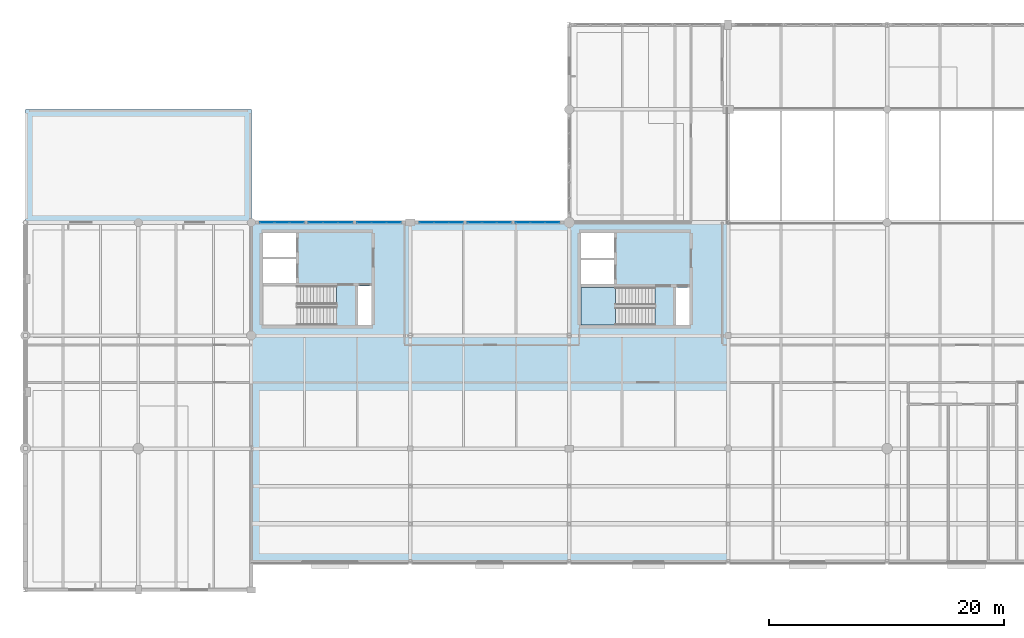
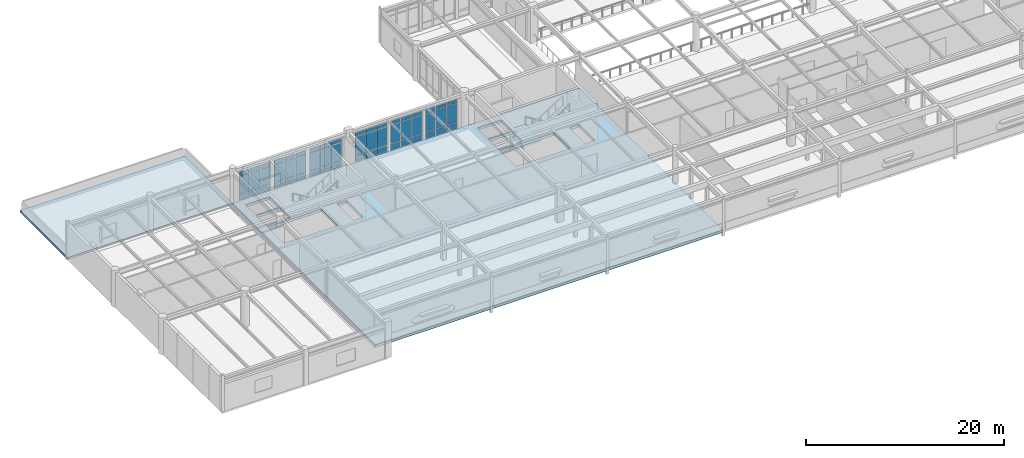
# One storey, part 38 of 61: 54 plates, 3 slabs, 7 elements without a shape of their own.
"""IFC4 building model written with IfcOpenShell, lengths in metres."""

from ifc_helpers import new_model, si_unit, direction, frame, origin, origin_2d, place, context, subcontext, project, spatial, polyline, rectangle, outline, extrude, material, layer, layer_set, type_object, element, aggregate, save


model = new_model("IFC4")

# Units and contexts
model_context = context("Model", 3, precision=1e-05, world=origin(), true_north=direction((0.0, 1.0)))
body_context = subcontext(model_context, "Body", "Model", "MODEL_VIEW")
ifc_project = project(units=[si_unit("LENGTHUNIT", "METRE"), si_unit("AREAUNIT", "SQUARE_METRE"), si_unit("VOLUMEUNIT", "CUBIC_METRE"), si_unit("PLANEANGLEUNIT", "RADIAN"), si_unit("MASSUNIT", "GRAM", prefix="KILO")], contexts=[model_context])

# Site, building, storey
site_placement = place(None, origin())
site = spatial("IfcSite", under=ifc_project, at=site_placement, CompositionType="ELEMENT")
building_placement = place(site_placement, origin())
building = spatial("IfcBuilding", under=site, at=building_placement, Name="Fikremerkos Civic Library", CompositionType="ELEMENT")
storey_placement = place(building_placement, frame((0.0, 0.0, 14.39990234375)))
storey = spatial("IfcBuildingStorey", under=building, at=storey_placement, Name="L03", CompositionType="ELEMENT", Elevation=14.39990234375)

# Curtain wall, plates
ifc_material_1 = material(Name="Anodized aluminium Frame", Category="aluminium")
ifc_layer_1 = layer(ifc_material_1, 0.159912109375, Name="Anodized aluminium Frame")
ifc_layer_set_1 = layer_set([ifc_layer_1], Name="Anodized aluminium Frame")
curtain_wall_type_1 = type_object("IfcCurtainWallType", Name="Unitised curtain wall CW-05 3800x4100", PredefinedType="USERDEFINED", material=ifc_layer_set_1)
curtain_wall_1_placement = place(storey_placement, origin())
curtain_wall_1 = element("IfcCurtainWall", 1, at=curtain_wall_1_placement, inside=storey, type_object=curtain_wall_type_1, Name="Unitised curtain wall CW-05 L03 #185", ObjectType="UNITISED CURTAIN WALL", PredefinedType="USERDEFINED")
ifc_material_2 = material(Name="Solar control double glazing", Category="glass")
ifc_layer_2 = layer(ifc_material_2, 0.028076171875, Name="Solar control double glazing")
ifc_layer_set_2 = layer_set([ifc_layer_2], Name="Solar control double glazing")
plate_type_1 = type_object("IfcPlateType", Name="Curtain glazing panel CWP-01 28", PredefinedType="CURTAIN_PANEL", material=ifc_layer_set_2)
plate_1_placement = place(storey_placement, frame((20.550537109375, 31.199951171875, 0.06005859375), z_axis=(0.0, 0.0, 1.0), x_axis=(1.0, 0.0, 0.0)))
plate_1 = element("IfcPlate", 2, at=plate_1_placement, type_object=plate_type_1, Name="CW-05 panel 1.1", PredefinedType="CURTAIN_PANEL", context=body_context, shape_type="SweptSolid", body=[
    extrude(rectangle(XDim=1.175048828125, YDim=0.028076171875, at=origin_2d()), origin(), (0.0, 0.0, 1.0), 0.760009765625),
])
plate_2_placement = place(storey_placement, frame((20.550537109375, 31.199951171875, 0.88037109375), z_axis=(0.0, 0.0, 1.0), x_axis=(1.0, 0.0, 0.0)))
plate_2 = element("IfcPlate", 3, at=plate_2_placement, type_object=plate_type_1, Name="CW-05 panel 1.2", PredefinedType="CURTAIN_PANEL", context=body_context, shape_type="SweptSolid", body=[
    extrude(rectangle(XDim=1.175048828125, YDim=0.028076171875, at=origin_2d()), origin(), (0.0, 0.0, 1.0), 2.139892578125),
])
plate_3_placement = place(storey_placement, frame((20.550537109375, 31.199951171875, 3.080078125), z_axis=(0.0, 0.0, 1.0), x_axis=(1.0, 0.0, 0.0)))
plate_3 = element("IfcPlate", 4, at=plate_3_placement, type_object=plate_type_1, Name="CW-05 panel 1.3", PredefinedType="CURTAIN_PANEL", context=body_context, shape_type="SweptSolid", body=[
    extrude(rectangle(XDim=1.175048828125, YDim=0.028076171875, at=origin_2d()), origin(), (0.0, 0.0, 1.0), 0.4599609375),
])
plate_4_placement = place(storey_placement, frame((21.806884765625, 31.199951171875, 0.06005859375), z_axis=(0.0, 0.0, 1.0), x_axis=(1.0, 0.0, 0.0)))
plate_4 = element("IfcPlate", 5, at=plate_4_placement, type_object=plate_type_1, Name="CW-05 panel 2.1", PredefinedType="CURTAIN_PANEL", context=body_context, shape_type="SweptSolid", body=[
    extrude(rectangle(XDim=1.207763671875, YDim=0.028076171875, at=origin_2d()), origin(), (0.0, 0.0, 1.0), 0.760009765625),
])
plate_5_placement = place(storey_placement, frame((21.806884765625, 31.199951171875, 0.88037109375), z_axis=(0.0, 0.0, 1.0), x_axis=(1.0, 0.0, 0.0)))
plate_5 = element("IfcPlate", 6, at=plate_5_placement, type_object=plate_type_1, Name="CW-05 panel 2.2", PredefinedType="CURTAIN_PANEL", context=body_context, shape_type="SweptSolid", body=[
    extrude(rectangle(XDim=1.207763671875, YDim=0.028076171875, at=origin_2d()), origin(), (0.0, 0.0, 1.0), 2.139892578125),
])
plate_6_placement = place(storey_placement, frame((21.806884765625, 31.199951171875, 3.080078125), z_axis=(0.0, 0.0, 1.0), x_axis=(1.0, 0.0, 0.0)))
plate_6 = element("IfcPlate", 7, at=plate_6_placement, type_object=plate_type_1, Name="CW-05 panel 2.3", PredefinedType="CURTAIN_PANEL", context=body_context, shape_type="SweptSolid", body=[
    extrude(rectangle(XDim=1.207763671875, YDim=0.028076171875, at=origin_2d()), origin(), (0.0, 0.0, 1.0), 0.4599609375),
])
plate_7_placement = place(storey_placement, frame((23.0634765625, 31.199951171875, 0.06005859375), z_axis=(0.0, 0.0, 1.0), x_axis=(1.0, 0.0, 0.0)))
plate_7 = element("IfcPlate", 8, at=plate_7_placement, type_object=plate_type_1, Name="CW-05 panel 3.1", PredefinedType="CURTAIN_PANEL", context=body_context, shape_type="SweptSolid", body=[
    extrude(rectangle(XDim=1.175048828125, YDim=0.028076171875, at=origin_2d()), origin(), (0.0, 0.0, 1.0), 0.760009765625),
])
plate_8_placement = place(storey_placement, frame((23.0634765625, 31.199951171875, 0.88037109375), z_axis=(0.0, 0.0, 1.0), x_axis=(1.0, 0.0, 0.0)))
plate_8 = element("IfcPlate", 9, at=plate_8_placement, type_object=plate_type_1, Name="CW-05 panel 3.2", PredefinedType="CURTAIN_PANEL", context=body_context, shape_type="SweptSolid", body=[
    extrude(rectangle(XDim=1.175048828125, YDim=0.028076171875, at=origin_2d()), origin(), (0.0, 0.0, 1.0), 2.139892578125),
])
plate_9_placement = place(storey_placement, frame((23.0634765625, 31.199951171875, 3.080078125), z_axis=(0.0, 0.0, 1.0), x_axis=(1.0, 0.0, 0.0)))
plate_9 = element("IfcPlate", 10, at=plate_9_placement, type_object=plate_type_1, Name="CW-05 panel 3.3", PredefinedType="CURTAIN_PANEL", context=body_context, shape_type="SweptSolid", body=[
    extrude(rectangle(XDim=1.175048828125, YDim=0.028076171875, at=origin_2d()), origin(), (0.0, 0.0, 1.0), 0.4599609375),
])
aggregate(curtain_wall_1, [plate_1, plate_2, plate_3, plate_4, plate_5, plate_6, plate_7, plate_8, plate_9])

ifc_layer_3 = layer(ifc_material_1, 0.159912109375, Name="Anodized aluminium Frame")
ifc_layer_set_3 = layer_set([ifc_layer_3], Name="Anodized aluminium Frame")
curtain_wall_type_2 = type_object("IfcCurtainWallType", Name="Unitised curtain wall CW-09 3600x3400", PredefinedType="USERDEFINED", material=ifc_layer_set_3)
curtain_wall_2_placement = place(storey_placement, origin())
curtain_wall_2 = element("IfcCurtainWall", 11, at=curtain_wall_2_placement, inside=storey, type_object=curtain_wall_type_2, Name="Unitised curtain wall CW-09 L03 #189", ObjectType="UNITISED CURTAIN WALL", PredefinedType="USERDEFINED")
plate_10_placement = place(storey_placement, frame((38.1796875, 31.199951171875, 0.070068359375), z_axis=(0.0, 0.0, 1.0), x_axis=(1.0, 0.0, 0.0)))
plate_10 = element("IfcPlate", 12, at=plate_10_placement, type_object=plate_type_1, Name="CW-09 panel 1.1", PredefinedType="CURTAIN_PANEL", context=body_context, shape_type="SweptSolid", body=[
    extrude(rectangle(XDim=1.1640625, YDim=0.028076171875, at=origin_2d()), origin(), (0.0, 0.0, 1.0), 0.7451171875),
])
plate_11_placement = place(storey_placement, frame((38.1796875, 31.199951171875, 0.885009765625), z_axis=(0.0, 0.0, 1.0), x_axis=(1.0, 0.0, 0.0)))
plate_11 = element("IfcPlate", 13, at=plate_11_placement, type_object=plate_type_1, Name="CW-09 panel 1.2", PredefinedType="CURTAIN_PANEL", context=body_context, shape_type="SweptSolid", body=[
    extrude(rectangle(XDim=1.1640625, YDim=0.028076171875, at=origin_2d()), origin(), (0.0, 0.0, 1.0), 2.22998046875),
])
plate_12_placement = place(storey_placement, frame((38.1796875, 31.199951171875, 3.18505859375), z_axis=(0.0, 0.0, 1.0), x_axis=(1.0, 0.0, 0.0)))
plate_12 = element("IfcPlate", 14, at=plate_12_placement, type_object=plate_type_1, Name="CW-09 panel 1.3", PredefinedType="CURTAIN_PANEL", context=body_context, shape_type="SweptSolid", body=[
    extrude(rectangle(XDim=1.1640625, YDim=0.028076171875, at=origin_2d()), origin(), (0.0, 0.0, 1.0), 0.445068359375),
])
plate_13_placement = place(storey_placement, frame((39.425048828125, 31.199951171875, 0.070068359375), z_axis=(0.0, 0.0, 1.0), x_axis=(1.0, 0.0, 0.0)))
plate_13 = element("IfcPlate", 15, at=plate_13_placement, type_object=plate_type_1, Name="CW-09 panel 2.1", PredefinedType="CURTAIN_PANEL", context=body_context, shape_type="SweptSolid", body=[
    extrude(rectangle(XDim=1.196533203125, YDim=0.028076171875, at=origin_2d()), origin(), (0.0, 0.0, 1.0), 0.7451171875),
])
plate_14_placement = place(storey_placement, frame((39.425048828125, 31.199951171875, 0.885009765625), z_axis=(0.0, 0.0, 1.0), x_axis=(1.0, 0.0, 0.0)))
plate_14 = element("IfcPlate", 16, at=plate_14_placement, type_object=plate_type_1, Name="CW-09 panel 2.2", PredefinedType="CURTAIN_PANEL", context=body_context, shape_type="SweptSolid", body=[
    extrude(rectangle(XDim=1.196533203125, YDim=0.028076171875, at=origin_2d()), origin(), (0.0, 0.0, 1.0), 2.22998046875),
])
plate_15_placement = place(storey_placement, frame((39.425048828125, 31.199951171875, 3.18505859375), z_axis=(0.0, 0.0, 1.0), x_axis=(1.0, 0.0, 0.0)))
plate_15 = element("IfcPlate", 17, at=plate_15_placement, type_object=plate_type_1, Name="CW-09 panel 2.3", PredefinedType="CURTAIN_PANEL", context=body_context, shape_type="SweptSolid", body=[
    extrude(rectangle(XDim=1.196533203125, YDim=0.028076171875, at=origin_2d()), origin(), (0.0, 0.0, 1.0), 0.445068359375),
])
plate_16_placement = place(storey_placement, frame((40.67041015625, 31.199951171875, 0.070068359375), z_axis=(0.0, 0.0, 1.0), x_axis=(1.0, 0.0, 0.0)))
plate_16 = element("IfcPlate", 18, at=plate_16_placement, type_object=plate_type_1, Name="CW-09 panel 3.1", PredefinedType="CURTAIN_PANEL", context=body_context, shape_type="SweptSolid", body=[
    extrude(rectangle(XDim=1.1640625, YDim=0.028076171875, at=origin_2d()), origin(), (0.0, 0.0, 1.0), 0.7451171875),
])
plate_17_placement = place(storey_placement, frame((40.67041015625, 31.199951171875, 0.885009765625), z_axis=(0.0, 0.0, 1.0), x_axis=(1.0, 0.0, 0.0)))
plate_17 = element("IfcPlate", 19, at=plate_17_placement, type_object=plate_type_1, Name="CW-09 panel 3.2", PredefinedType="CURTAIN_PANEL", context=body_context, shape_type="SweptSolid", body=[
    extrude(rectangle(XDim=1.1640625, YDim=0.028076171875, at=origin_2d()), origin(), (0.0, 0.0, 1.0), 2.22998046875),
])
plate_18_placement = place(storey_placement, frame((40.67041015625, 31.199951171875, 3.18505859375), z_axis=(0.0, 0.0, 1.0), x_axis=(1.0, 0.0, 0.0)))
plate_18 = element("IfcPlate", 20, at=plate_18_placement, type_object=plate_type_1, Name="CW-09 panel 3.3", PredefinedType="CURTAIN_PANEL", context=body_context, shape_type="SweptSolid", body=[
    extrude(rectangle(XDim=1.1640625, YDim=0.028076171875, at=origin_2d()), origin(), (0.0, 0.0, 1.0), 0.445068359375),
])
aggregate(curtain_wall_2, [plate_10, plate_11, plate_12, plate_13, plate_14, plate_15, plate_16, plate_17, plate_18])

ifc_layer_4 = layer(ifc_material_1, 0.159912109375, Name="Anodized aluminium Frame")
ifc_layer_set_4 = layer_set([ifc_layer_4], Name="Anodized aluminium Frame")
curtain_wall_type_3 = type_object("IfcCurtainWallType", Name="Unitised curtain wall CW-06 4200x4100", PredefinedType="USERDEFINED", material=ifc_layer_set_4)
curtain_wall_3_placement = place(storey_placement, origin())
curtain_wall_3 = element("IfcCurtainWall", 21, at=curtain_wall_3_placement, inside=storey, type_object=curtain_wall_type_3, Name="Unitised curtain wall CW-06 L03 #186", ObjectType="UNITISED CURTAIN WALL", PredefinedType="USERDEFINED")
ifc_layer_5 = layer(ifc_material_2, 0.035888671875, Name="Solar control double glazing")
ifc_layer_set_5 = layer_set([ifc_layer_5], Name="Solar control double glazing")
plate_type_2 = type_object("IfcPlateType", Name="Curtain glazing panel CWP-02 36", PredefinedType="CURTAIN_PANEL", material=ifc_layer_set_5)
plate_19_placement = place(storey_placement, frame((24.667236328125, 31.199951171875, 0.06005859375), z_axis=(0.0, 0.0, 1.0), x_axis=(1.0, 0.0, 0.0)))
plate_19 = element("IfcPlate", 22, at=plate_19_placement, type_object=plate_type_2, Name="CW-06 panel 1.1", PredefinedType="CURTAIN_PANEL", context=body_context, shape_type="SweptSolid", body=[
    extrude(rectangle(XDim=1.1826171875, YDim=0.035888671875, at=origin_2d()), origin(), (0.0, 0.0, 1.0), 0.760009765625),
])
plate_20_placement = place(storey_placement, frame((24.667236328125, 31.199951171875, 0.88037109375), z_axis=(0.0, 0.0, 1.0), x_axis=(1.0, 0.0, 0.0)))
plate_20 = element("IfcPlate", 23, at=plate_20_placement, type_object=plate_type_2, Name="CW-06 panel 1.2", PredefinedType="CURTAIN_PANEL", context=body_context, shape_type="SweptSolid", body=[
    extrude(rectangle(XDim=1.1826171875, YDim=0.035888671875, at=origin_2d()), origin(), (0.0, 0.0, 1.0), 2.139892578125),
])
plate_21_placement = place(storey_placement, frame((24.667236328125, 31.199951171875, 3.080078125), z_axis=(0.0, 0.0, 1.0), x_axis=(1.0, 0.0, 0.0)))
plate_21 = element("IfcPlate", 24, at=plate_21_placement, type_object=plate_type_2, Name="CW-06 panel 1.3", PredefinedType="CURTAIN_PANEL", context=body_context, shape_type="SweptSolid", body=[
    extrude(rectangle(XDim=1.1826171875, YDim=0.035888671875, at=origin_2d()), origin(), (0.0, 0.0, 1.0), 0.4599609375),
])
plate_22_placement = place(storey_placement, frame((25.925048828125, 31.199951171875, 0.06005859375), z_axis=(0.0, 0.0, 1.0), x_axis=(1.0, 0.0, 0.0)))
plate_22 = element("IfcPlate", 25, at=plate_22_placement, type_object=plate_type_2, Name="CW-06 panel 2.1", PredefinedType="CURTAIN_PANEL", context=body_context, shape_type="SweptSolid", body=[
    extrude(rectangle(XDim=1.212646484375, YDim=0.035888671875, at=origin_2d()), origin(), (0.0, 0.0, 1.0), 0.760009765625),
])
plate_23_placement = place(storey_placement, frame((25.925048828125, 31.199951171875, 0.88037109375), z_axis=(0.0, 0.0, 1.0), x_axis=(1.0, 0.0, 0.0)))
plate_23 = element("IfcPlate", 26, at=plate_23_placement, type_object=plate_type_2, Name="CW-06 panel 2.2", PredefinedType="CURTAIN_PANEL", context=body_context, shape_type="SweptSolid", body=[
    extrude(rectangle(XDim=1.212646484375, YDim=0.035888671875, at=origin_2d()), origin(), (0.0, 0.0, 1.0), 2.139892578125),
])
plate_24_placement = place(storey_placement, frame((25.925048828125, 31.199951171875, 3.080078125), z_axis=(0.0, 0.0, 1.0), x_axis=(1.0, 0.0, 0.0)))
plate_24 = element("IfcPlate", 27, at=plate_24_placement, type_object=plate_type_2, Name="CW-06 panel 2.3", PredefinedType="CURTAIN_PANEL", context=body_context, shape_type="SweptSolid", body=[
    extrude(rectangle(XDim=1.212646484375, YDim=0.035888671875, at=origin_2d()), origin(), (0.0, 0.0, 1.0), 0.4599609375),
])
plate_25_placement = place(storey_placement, frame((27.1826171875, 31.199951171875, 0.06005859375), z_axis=(0.0, 0.0, 1.0), x_axis=(1.0, 0.0, 0.0)))
plate_25 = element("IfcPlate", 28, at=plate_25_placement, type_object=plate_type_2, Name="CW-06 panel 3.1", PredefinedType="CURTAIN_PANEL", context=body_context, shape_type="SweptSolid", body=[
    extrude(rectangle(XDim=1.1826171875, YDim=0.035888671875, at=origin_2d()), origin(), (0.0, 0.0, 1.0), 0.760009765625),
])
plate_26_placement = place(storey_placement, frame((27.1826171875, 31.199951171875, 0.88037109375), z_axis=(0.0, 0.0, 1.0), x_axis=(1.0, 0.0, 0.0)))
plate_26 = element("IfcPlate", 29, at=plate_26_placement, type_object=plate_type_2, Name="CW-06 panel 3.2", PredefinedType="CURTAIN_PANEL", context=body_context, shape_type="SweptSolid", body=[
    extrude(rectangle(XDim=1.1826171875, YDim=0.035888671875, at=origin_2d()), origin(), (0.0, 0.0, 1.0), 2.139892578125),
])
plate_27_placement = place(storey_placement, frame((27.1826171875, 31.199951171875, 3.080078125), z_axis=(0.0, 0.0, 1.0), x_axis=(1.0, 0.0, 0.0)))
plate_27 = element("IfcPlate", 30, at=plate_27_placement, type_object=plate_type_2, Name="CW-06 panel 3.3", PredefinedType="CURTAIN_PANEL", context=body_context, shape_type="SweptSolid", body=[
    extrude(rectangle(XDim=1.1826171875, YDim=0.035888671875, at=origin_2d()), origin(), (0.0, 0.0, 1.0), 0.4599609375),
])
aggregate(curtain_wall_3, [plate_19, plate_20, plate_21, plate_22, plate_23, plate_24, plate_25, plate_26, plate_27])

ifc_layer_6 = layer(ifc_material_1, 0.159912109375, Name="Anodized aluminium Frame")
ifc_layer_set_6 = layer_set([ifc_layer_6], Name="Anodized aluminium Frame")
curtain_wall_type_4 = type_object("IfcCurtainWallType", Name="Unitised curtain wall CW-10 4000x3400", PredefinedType="USERDEFINED", material=ifc_layer_set_6)
curtain_wall_4_placement = place(storey_placement, origin())
curtain_wall_4 = element("IfcCurtainWall", 31, at=curtain_wall_4_placement, inside=storey, type_object=curtain_wall_type_4, Name="Unitised curtain wall CW-10 L03 #190", ObjectType="UNITISED CURTAIN WALL", PredefinedType="USERDEFINED")
plate_28_placement = place(storey_placement, frame((42.26318359375, 31.199951171875, 0.070068359375), z_axis=(0.0, 0.0, 1.0), x_axis=(1.0, 0.0, 0.0)))
plate_28 = element("IfcPlate", 32, at=plate_28_placement, type_object=plate_type_2, Name="CW-10 panel 1.1", PredefinedType="CURTAIN_PANEL", context=body_context, shape_type="SweptSolid", body=[
    extrude(rectangle(XDim=1.171630859375, YDim=0.035888671875, at=origin_2d()), origin(), (0.0, 0.0, 1.0), 0.7451171875),
])
plate_29_placement = place(storey_placement, frame((42.26318359375, 31.199951171875, 0.885009765625), z_axis=(0.0, 0.0, 1.0), x_axis=(1.0, 0.0, 0.0)))
plate_29 = element("IfcPlate", 33, at=plate_29_placement, type_object=plate_type_2, Name="CW-10 panel 1.2", PredefinedType="CURTAIN_PANEL", context=body_context, shape_type="SweptSolid", body=[
    extrude(rectangle(XDim=1.171630859375, YDim=0.035888671875, at=origin_2d()), origin(), (0.0, 0.0, 1.0), 2.22998046875),
])
plate_30_placement = place(storey_placement, frame((42.26318359375, 31.199951171875, 3.18505859375), z_axis=(0.0, 0.0, 1.0), x_axis=(1.0, 0.0, 0.0)))
plate_30 = element("IfcPlate", 34, at=plate_30_placement, type_object=plate_type_2, Name="CW-10 panel 1.3", PredefinedType="CURTAIN_PANEL", context=body_context, shape_type="SweptSolid", body=[
    extrude(rectangle(XDim=1.171630859375, YDim=0.035888671875, at=origin_2d()), origin(), (0.0, 0.0, 1.0), 0.445068359375),
])
plate_31_placement = place(storey_placement, frame((43.509765625, 31.199951171875, 0.070068359375), z_axis=(0.0, 0.0, 1.0), x_axis=(1.0, 0.0, 0.0)))
plate_31 = element("IfcPlate", 35, at=plate_31_placement, type_object=plate_type_2, Name="CW-10 panel 2.1", PredefinedType="CURTAIN_PANEL", context=body_context, shape_type="SweptSolid", body=[
    extrude(rectangle(XDim=1.20166015625, YDim=0.035888671875, at=origin_2d()), origin(), (0.0, 0.0, 1.0), 0.7451171875),
])
plate_32_placement = place(storey_placement, frame((43.509765625, 31.199951171875, 0.885009765625), z_axis=(0.0, 0.0, 1.0), x_axis=(1.0, 0.0, 0.0)))
plate_32 = element("IfcPlate", 36, at=plate_32_placement, type_object=plate_type_2, Name="CW-10 panel 2.2", PredefinedType="CURTAIN_PANEL", context=body_context, shape_type="SweptSolid", body=[
    extrude(rectangle(XDim=1.20166015625, YDim=0.035888671875, at=origin_2d()), origin(), (0.0, 0.0, 1.0), 2.22998046875),
])
plate_33_placement = place(storey_placement, frame((43.509765625, 31.199951171875, 3.18505859375), z_axis=(0.0, 0.0, 1.0), x_axis=(1.0, 0.0, 0.0)))
plate_33 = element("IfcPlate", 37, at=plate_33_placement, type_object=plate_type_2, Name="CW-10 panel 2.3", PredefinedType="CURTAIN_PANEL", context=body_context, shape_type="SweptSolid", body=[
    extrude(rectangle(XDim=1.20166015625, YDim=0.035888671875, at=origin_2d()), origin(), (0.0, 0.0, 1.0), 0.445068359375),
])
plate_34_placement = place(storey_placement, frame((44.756103515625, 31.199951171875, 0.070068359375), z_axis=(0.0, 0.0, 1.0), x_axis=(1.0, 0.0, 0.0)))
plate_34 = element("IfcPlate", 38, at=plate_34_placement, type_object=plate_type_2, Name="CW-10 panel 3.1", PredefinedType="CURTAIN_PANEL", context=body_context, shape_type="SweptSolid", body=[
    extrude(rectangle(XDim=1.171630859375, YDim=0.035888671875, at=origin_2d()), origin(), (0.0, 0.0, 1.0), 0.7451171875),
])
plate_35_placement = place(storey_placement, frame((44.756103515625, 31.199951171875, 0.885009765625), z_axis=(0.0, 0.0, 1.0), x_axis=(1.0, 0.0, 0.0)))
plate_35 = element("IfcPlate", 39, at=plate_35_placement, type_object=plate_type_2, Name="CW-10 panel 3.2", PredefinedType="CURTAIN_PANEL", context=body_context, shape_type="SweptSolid", body=[
    extrude(rectangle(XDim=1.171630859375, YDim=0.035888671875, at=origin_2d()), origin(), (0.0, 0.0, 1.0), 2.22998046875),
])
plate_36_placement = place(storey_placement, frame((44.756103515625, 31.199951171875, 3.18505859375), z_axis=(0.0, 0.0, 1.0), x_axis=(1.0, 0.0, 0.0)))
plate_36 = element("IfcPlate", 40, at=plate_36_placement, type_object=plate_type_2, Name="CW-10 panel 3.3", PredefinedType="CURTAIN_PANEL", context=body_context, shape_type="SweptSolid", body=[
    extrude(rectangle(XDim=1.171630859375, YDim=0.035888671875, at=origin_2d()), origin(), (0.0, 0.0, 1.0), 0.445068359375),
])
aggregate(curtain_wall_4, [plate_28, plate_29, plate_30, plate_31, plate_32, plate_33, plate_34, plate_35, plate_36])

ifc_layer_7 = layer(ifc_material_1, 0.159912109375, Name="Anodized aluminium Frame")
ifc_layer_set_7 = layer_set([ifc_layer_7], Name="Anodized aluminium Frame")
curtain_wall_type_5 = type_object("IfcCurtainWallType", Name="Unitised curtain wall CW-07 3500x4100", PredefinedType="USERDEFINED", material=ifc_layer_set_7)
curtain_wall_5_placement = place(storey_placement, origin())
curtain_wall_5 = element("IfcCurtainWall", 41, at=curtain_wall_5_placement, inside=storey, type_object=curtain_wall_type_5, Name="Unitised curtain wall CW-07 L03 #187", ObjectType="UNITISED CURTAIN WALL", PredefinedType="USERDEFINED")
ifc_material_3 = material(Name="Insulated aluminium spandrel", Category="aluminium")
ifc_layer_8 = layer(ifc_material_3, 0.044921875, Name="Insulated aluminium spandrel")
ifc_layer_set_8 = layer_set([ifc_layer_8], Name="Insulated aluminium spandrel")
plate_type_3 = type_object("IfcPlateType", Name="Curtain spandrel panel CSP-01 45", PredefinedType="CURTAIN_PANEL", material=ifc_layer_set_8)
plate_37_placement = place(storey_placement, frame((28.785400390625, 31.199951171875, 0.070068359375), z_axis=(0.0, 0.0, 1.0), x_axis=(1.0, 0.0, 0.0)))
plate_37 = element("IfcPlate", 42, at=plate_37_placement, type_object=plate_type_3, Name="CW-07 panel 1.1", PredefinedType="CURTAIN_PANEL", context=body_context, shape_type="SweptSolid", body=[
    extrude(rectangle(XDim=1.1826171875, YDim=0.044921875, at=origin_2d()), origin(), (0.0, 0.0, 1.0), 0.7451171875),
])
plate_38_placement = place(storey_placement, frame((28.785400390625, 31.199951171875, 0.88525390625), z_axis=(0.0, 0.0, 1.0), x_axis=(1.0, 0.0, 0.0)))
plate_38 = element("IfcPlate", 43, at=plate_38_placement, type_object=plate_type_3, Name="CW-07 panel 1.2", PredefinedType="CURTAIN_PANEL", context=body_context, shape_type="SweptSolid", body=[
    extrude(rectangle(XDim=1.1826171875, YDim=0.044921875, at=origin_2d()), origin(), (0.0, 0.0, 1.0), 2.1298828125),
])
plate_39_placement = place(storey_placement, frame((28.785400390625, 31.199951171875, 3.0849609375), z_axis=(0.0, 0.0, 1.0), x_axis=(1.0, 0.0, 0.0)))
plate_39 = element("IfcPlate", 44, at=plate_39_placement, type_object=plate_type_3, Name="CW-07 panel 1.3", PredefinedType="CURTAIN_PANEL", context=body_context, shape_type="SweptSolid", body=[
    extrude(rectangle(XDim=1.1826171875, YDim=0.044921875, at=origin_2d()), origin(), (0.0, 0.0, 1.0), 0.445068359375),
])
plate_40_placement = place(storey_placement, frame((30.04296875, 31.199951171875, 0.070068359375), z_axis=(0.0, 0.0, 1.0), x_axis=(1.0, 0.0, 0.0)))
plate_40 = element("IfcPlate", 45, at=plate_40_placement, type_object=plate_type_3, Name="CW-07 panel 2.1", PredefinedType="CURTAIN_PANEL", context=body_context, shape_type="SweptSolid", body=[
    extrude(rectangle(XDim=1.212646484375, YDim=0.044921875, at=origin_2d()), origin(), (0.0, 0.0, 1.0), 0.7451171875),
])
plate_41_placement = place(storey_placement, frame((30.04296875, 31.199951171875, 0.88525390625), z_axis=(0.0, 0.0, 1.0), x_axis=(1.0, 0.0, 0.0)))
plate_41 = element("IfcPlate", 46, at=plate_41_placement, type_object=plate_type_3, Name="CW-07 panel 2.2", PredefinedType="CURTAIN_PANEL", context=body_context, shape_type="SweptSolid", body=[
    extrude(rectangle(XDim=1.212646484375, YDim=0.044921875, at=origin_2d()), origin(), (0.0, 0.0, 1.0), 2.1298828125),
])
plate_42_placement = place(storey_placement, frame((30.04296875, 31.199951171875, 3.0849609375), z_axis=(0.0, 0.0, 1.0), x_axis=(1.0, 0.0, 0.0)))
plate_42 = element("IfcPlate", 47, at=plate_42_placement, type_object=plate_type_3, Name="CW-07 panel 2.3", PredefinedType="CURTAIN_PANEL", context=body_context, shape_type="SweptSolid", body=[
    extrude(rectangle(XDim=1.212646484375, YDim=0.044921875, at=origin_2d()), origin(), (0.0, 0.0, 1.0), 0.445068359375),
])
plate_43_placement = place(storey_placement, frame((31.30078125, 31.199951171875, 0.070068359375), z_axis=(0.0, 0.0, 1.0), x_axis=(1.0, 0.0, 0.0)))
plate_43 = element("IfcPlate", 48, at=plate_43_placement, type_object=plate_type_3, Name="CW-07 panel 3.1", PredefinedType="CURTAIN_PANEL", context=body_context, shape_type="SweptSolid", body=[
    extrude(rectangle(XDim=1.1826171875, YDim=0.044921875, at=origin_2d()), origin(), (0.0, 0.0, 1.0), 0.7451171875),
])
plate_44_placement = place(storey_placement, frame((31.30078125, 31.199951171875, 0.88525390625), z_axis=(0.0, 0.0, 1.0), x_axis=(1.0, 0.0, 0.0)))
plate_44 = element("IfcPlate", 49, at=plate_44_placement, type_object=plate_type_3, Name="CW-07 panel 3.2", PredefinedType="CURTAIN_PANEL", context=body_context, shape_type="SweptSolid", body=[
    extrude(rectangle(XDim=1.1826171875, YDim=0.044921875, at=origin_2d()), origin(), (0.0, 0.0, 1.0), 2.1298828125),
])
plate_45_placement = place(storey_placement, frame((31.30078125, 31.199951171875, 3.0849609375), z_axis=(0.0, 0.0, 1.0), x_axis=(1.0, 0.0, 0.0)))
plate_45 = element("IfcPlate", 50, at=plate_45_placement, type_object=plate_type_3, Name="CW-07 panel 3.3", PredefinedType="CURTAIN_PANEL", context=body_context, shape_type="SweptSolid", body=[
    extrude(rectangle(XDim=1.1826171875, YDim=0.044921875, at=origin_2d()), origin(), (0.0, 0.0, 1.0), 0.445068359375),
])
aggregate(curtain_wall_5, [plate_37, plate_38, plate_39, plate_40, plate_41, plate_42, plate_43, plate_44, plate_45])

ifc_layer_9 = layer(ifc_material_1, 0.159912109375, Name="Anodized aluminium Frame")
ifc_layer_set_9 = layer_set([ifc_layer_9], Name="Anodized aluminium Frame")
curtain_wall_type_6 = type_object("IfcCurtainWallType", Name="Unitised curtain wall CW-08 4500x4100", PredefinedType="USERDEFINED", material=ifc_layer_set_9)
curtain_wall_6_placement = place(storey_placement, origin())
curtain_wall_6 = element("IfcCurtainWall", 51, at=curtain_wall_6_placement, inside=storey, type_object=curtain_wall_type_6, Name="Unitised curtain wall CW-08 L03 #188", ObjectType="UNITISED CURTAIN WALL", PredefinedType="USERDEFINED")
ifc_layer_10 = layer(ifc_material_3, 0.054931640625, Name="Insulated aluminium spandrel")
ifc_layer_set_10 = layer_set([ifc_layer_10], Name="Insulated aluminium spandrel")
plate_type_4 = type_object("IfcPlateType", Name="Curtain spandrel panel CSP-02 55", PredefinedType="CURTAIN_PANEL", material=ifc_layer_set_10)
plate_46_placement = place(storey_placement, frame((34.09375, 31.199951171875, 0.070068359375), z_axis=(0.0, 0.0, 1.0), x_axis=(1.0, 0.0, 0.0)))
plate_46 = element("IfcPlate", 52, at=plate_46_placement, type_object=plate_type_4, Name="CW-08 panel 1.1", PredefinedType="CURTAIN_PANEL", context=body_context, shape_type="SweptSolid", body=[
    extrude(rectangle(XDim=1.171630859375, YDim=0.054931640625, at=origin_2d()), origin(), (0.0, 0.0, 1.0), 0.7451171875),
])
plate_47_placement = place(storey_placement, frame((34.09375, 31.199951171875, 0.885009765625), z_axis=(0.0, 0.0, 1.0), x_axis=(1.0, 0.0, 0.0)))
plate_47 = element("IfcPlate", 53, at=plate_47_placement, type_object=plate_type_4, Name="CW-08 panel 1.2", PredefinedType="CURTAIN_PANEL", context=body_context, shape_type="SweptSolid", body=[
    extrude(rectangle(XDim=1.171630859375, YDim=0.054931640625, at=origin_2d()), origin(), (0.0, 0.0, 1.0), 2.22998046875),
])
plate_48_placement = place(storey_placement, frame((34.09375, 31.199951171875, 3.18505859375), z_axis=(0.0, 0.0, 1.0), x_axis=(1.0, 0.0, 0.0)))
plate_48 = element("IfcPlate", 54, at=plate_48_placement, type_object=plate_type_4, Name="CW-08 panel 1.3", PredefinedType="CURTAIN_PANEL", context=body_context, shape_type="SweptSolid", body=[
    extrude(rectangle(XDim=1.171630859375, YDim=0.054931640625, at=origin_2d()), origin(), (0.0, 0.0, 1.0), 0.445068359375),
])
plate_49_placement = place(storey_placement, frame((35.34033203125, 31.199951171875, 0.070068359375), z_axis=(0.0, 0.0, 1.0), x_axis=(1.0, 0.0, 0.0)))
plate_49 = element("IfcPlate", 55, at=plate_49_placement, type_object=plate_type_4, Name="CW-08 panel 2.1", PredefinedType="CURTAIN_PANEL", context=body_context, shape_type="SweptSolid", body=[
    extrude(rectangle(XDim=1.20166015625, YDim=0.054931640625, at=origin_2d()), origin(), (0.0, 0.0, 1.0), 0.7451171875),
])
plate_50_placement = place(storey_placement, frame((35.34033203125, 31.199951171875, 0.885009765625), z_axis=(0.0, 0.0, 1.0), x_axis=(1.0, 0.0, 0.0)))
plate_50 = element("IfcPlate", 56, at=plate_50_placement, type_object=plate_type_4, Name="CW-08 panel 2.2", PredefinedType="CURTAIN_PANEL", context=body_context, shape_type="SweptSolid", body=[
    extrude(rectangle(XDim=1.20166015625, YDim=0.054931640625, at=origin_2d()), origin(), (0.0, 0.0, 1.0), 2.22998046875),
])
plate_51_placement = place(storey_placement, frame((35.34033203125, 31.199951171875, 3.18505859375), z_axis=(0.0, 0.0, 1.0), x_axis=(1.0, 0.0, 0.0)))
plate_51 = element("IfcPlate", 57, at=plate_51_placement, type_object=plate_type_4, Name="CW-08 panel 2.3", PredefinedType="CURTAIN_PANEL", context=body_context, shape_type="SweptSolid", body=[
    extrude(rectangle(XDim=1.20166015625, YDim=0.054931640625, at=origin_2d()), origin(), (0.0, 0.0, 1.0), 0.445068359375),
])
plate_52_placement = place(storey_placement, frame((36.5869140625, 31.199951171875, 0.070068359375), z_axis=(0.0, 0.0, 1.0), x_axis=(1.0, 0.0, 0.0)))
plate_52 = element("IfcPlate", 58, at=plate_52_placement, type_object=plate_type_4, Name="CW-08 panel 3.1", PredefinedType="CURTAIN_PANEL", context=body_context, shape_type="SweptSolid", body=[
    extrude(rectangle(XDim=1.171630859375, YDim=0.054931640625, at=origin_2d()), origin(), (0.0, 0.0, 1.0), 0.7451171875),
])
plate_53_placement = place(storey_placement, frame((36.5869140625, 31.199951171875, 0.885009765625), z_axis=(0.0, 0.0, 1.0), x_axis=(1.0, 0.0, 0.0)))
plate_53 = element("IfcPlate", 59, at=plate_53_placement, type_object=plate_type_4, Name="CW-08 panel 3.2", PredefinedType="CURTAIN_PANEL", context=body_context, shape_type="SweptSolid", body=[
    extrude(rectangle(XDim=1.171630859375, YDim=0.054931640625, at=origin_2d()), origin(), (0.0, 0.0, 1.0), 2.22998046875),
])
plate_54_placement = place(storey_placement, frame((36.5869140625, 31.199951171875, 3.18505859375), z_axis=(0.0, 0.0, 1.0), x_axis=(1.0, 0.0, 0.0)))
plate_54 = element("IfcPlate", 60, at=plate_54_placement, type_object=plate_type_4, Name="CW-08 panel 3.3", PredefinedType="CURTAIN_PANEL", context=body_context, shape_type="SweptSolid", body=[
    extrude(rectangle(XDim=1.171630859375, YDim=0.054931640625, at=origin_2d()), origin(), (0.0, 0.0, 1.0), 0.445068359375),
])
aggregate(curtain_wall_6, [plate_46, plate_47, plate_48, plate_49, plate_50, plate_51, plate_52, plate_53, plate_54])

# Stair, slab
ifc_material_4 = material(Name="Concrete C40/50", Category="concrete")
stair_type = type_object("IfcStairType", Name="Half turn stair ST-HT-06 W1500 H4500", PredefinedType="HALF_TURN_STAIR", material=ifc_material_4)
stair_placement = place(storey_placement, origin())
stair = element("IfcStair", 61, at=stair_placement, inside=storey, type_object=stair_type, Name="L03 ST-K3", PredefinedType="HALF_TURN_STAIR")
ifc_layer_11 = layer(ifc_material_4, 0.199951171875, Name="Concrete C40/50")
ifc_layer_set_11 = layer_set([ifc_layer_11], Name="Concrete C40/50")
slab_type_1 = type_object("IfcSlabType", Name="Stair landing slab SLS-01 200", PredefinedType="LANDING", material=ifc_layer_set_11)
slab_1_placement = place(storey_placement, frame((0.0, 0.0, 2.050048828125)))
slab_1 = element("IfcSlab", 62, at=slab_1_placement, type_object=slab_type_1, Name="ST-K3 landing 1", PredefinedType="LANDING", context=body_context, shape_type="SweptSolid", body=[
    extrude(outline(polyline([(50.139892578125, 25.699951171875), (47.199951171875, 25.699951171875), (47.199951171875, 22.5), (50.139892578125, 22.5), (50.139892578125, 25.699951171875)])), origin(), (0.0, 0.0, 1.0), 0.199951171875),
])
aggregate(stair, [slab_1])

# Slabs
ifc_layer_12 = layer(ifc_material_4, 0.340087890625, Name="Concrete C40/50")
ifc_layer_set_12 = layer_set([ifc_layer_12], Name="Concrete C40/50")
slab_type_2 = type_object("IfcSlabType", Name="Suspended floor slab SFS-01 340", PredefinedType="FLOOR", material=ifc_layer_set_12)
slab_2_placement = place(storey_placement, frame((0.0, 0.0, -0.33984375)))
element("IfcSlab", 63, at=slab_2_placement, inside=storey, type_object=slab_type_2, Name="Floor slab SFS-01 SLB-L03-V4-C-1", PredefinedType="FLOOR", context=body_context, shape_type="SweptSolid", body=[
    extrude(outline(polyline([(19.199951171875, 2.39990234375), (59.699951171875, 2.39990234375), (59.699951171875, 31.199951171875), (19.199951171875, 31.199951171875), (19.199951171875, 2.39990234375)]), holes=[polyline([(20.199951171875, 22.5), (26.449951171875, 22.5), (26.449951171875, 25.800048828125), (20.199951171875, 25.800048828125), (20.199951171875, 22.5)]), polyline([(20.199951171875, 26.06005859375), (23.0, 26.06005859375), (23.0, 28.10009765625), (20.199951171875, 28.10009765625), (20.199951171875, 26.06005859375)]), polyline([(20.199951171875, 28.260009765625), (23.0, 28.260009765625), (23.0, 30.300048828125), (20.199951171875, 30.300048828125), (20.199951171875, 28.260009765625)]), polyline([(28.260009765625, 22.5), (29.39990234375, 22.5), (29.39990234375, 25.800048828125), (28.260009765625, 25.800048828125), (28.260009765625, 22.5)]), polyline([(47.199951171875, 22.5), (53.5, 22.5), (53.5, 25.699951171875), (47.199951171875, 25.699951171875), (47.199951171875, 22.5)]), polyline([(47.199951171875, 25.9599609375), (50.0, 25.9599609375), (50.0, 28.0), (47.199951171875, 28.0), (47.199951171875, 25.9599609375)]), polyline([(47.199951171875, 28.199951171875), (50.0, 28.199951171875), (50.0, 30.300048828125), (47.199951171875, 30.300048828125), (47.199951171875, 28.199951171875)]), polyline([(55.260009765625, 22.5), (56.39990234375, 22.5), (56.39990234375, 25.699951171875), (55.260009765625, 25.699951171875), (55.260009765625, 22.5)])]), origin(), (0.0, 0.0, 1.0), 0.33984375),
])
ifc_layer_13 = layer(ifc_material_4, 0.239990234375, Name="Concrete C40/50")
ifc_layer_set_13 = layer_set([ifc_layer_13], Name="Concrete C40/50")
slab_type_3 = type_object("IfcSlabType", Name="Wing roof slab WRS-03 240", PredefinedType="ROOF", material=ifc_layer_set_13)
slab_3_placement = place(storey_placement, frame((0.0, 0.0, -0.239990234375)))
element("IfcSlab", 64, at=slab_3_placement, inside=storey, type_object=slab_type_3, Name="Wing roof slab WRS-03 RF-L03-V5M", PredefinedType="ROOF", context=body_context, shape_type="SweptSolid", body=[
    extrude(outline(polyline([(0.0, 31.199951171875), (19.199951171875, 31.199951171875), (19.199951171875, 40.800048828125), (0.0, 40.800048828125), (0.0, 31.199951171875)])), origin(), (0.0, 0.0, 1.0), 0.239990234375),
])

save(model, "model.ifc")
